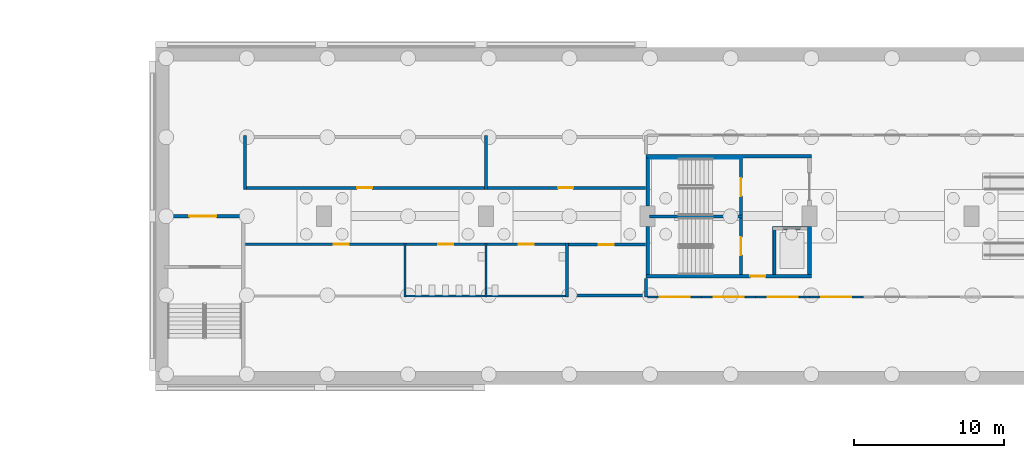
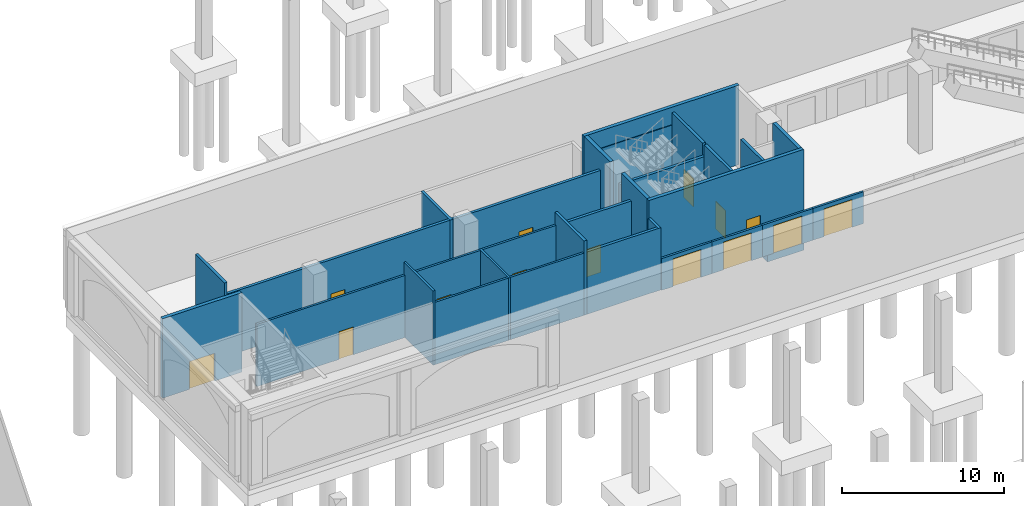
# One storey, part 6 of 39: 31 walls, 14 doors, 14 openings.
"""IFC4 building model written with IfcOpenShell, lengths in metres."""

from ifc_helpers import new_model, si_unit, direction, frame, frame_2d, origin, place, context, subcontext, project, spatial, polyline, rectangle, outline, extrude, material, layer, layer_set, type_object, element, fill, save


model = new_model("IFC4")

# Units and contexts
model_context = context("Model", 3, precision=1e-05, world=origin(), true_north=direction((0.0, 1.0)))
body_context = subcontext(model_context, "Body", "Model", "MODEL_VIEW")
ifc_project = project(units=[si_unit("LENGTHUNIT", "METRE"), si_unit("AREAUNIT", "SQUARE_METRE"), si_unit("VOLUMEUNIT", "CUBIC_METRE"), si_unit("PLANEANGLEUNIT", "RADIAN"), si_unit("MASSUNIT", "GRAM", prefix="KILO")], contexts=[model_context])

# Site, building, storey
site_placement = place(None, origin())
site = spatial("IfcSite", under=ifc_project, at=site_placement, CompositionType="ELEMENT")
building_placement = place(site_placement, origin())
building = spatial("IfcBuilding", under=site, at=building_placement, Name="Magnolia Steps Interchange", CompositionType="ELEMENT")
storey_placement = place(building_placement, frame((0.0, 0.0, -11.39990234375)))
storey = spatial("IfcBuildingStorey", under=building, at=storey_placement, Name="B2", CompositionType="ELEMENT", Elevation=-11.39990234375)

# Wall, opening, door
ifc_material_1 = material(Name="Concrete C35", Category="concrete")
ifc_layer_1 = layer(ifc_material_1, 0.199951171875)
ifc_layer_set_1 = layer_set([ifc_layer_1], Name="Core enclosure wall 200")
wall_type_1 = type_object("IfcWallType", Name="Core enclosure wall 200", PredefinedType="SOLIDWALL", material=ifc_layer_set_1)
wall_1_placement = place(storey_placement, frame((59.425048828125, 60.125, 0.0), z_axis=(0.0, 0.0, 1.0), x_axis=(0.0, 1.0, 0.0)))
wall_1 = element("IfcWall", 1, at=wall_1_placement, inside=storey, type_object=wall_type_1, Name="B2 PC1 enclosure wall", PredefinedType="SOLIDWALL", context=body_context, shape_type="SweptSolid", body=[
    extrude(rectangle(XDim=3.75, YDim=0.199951171875, at=frame_2d((1.875, 0.0))), origin(), (0.0, 0.0, 1.0), 5.599853515625),
])
opening_1_placement = place(wall_1_placement, frame((1.27490234375, 0.0, 0.0)))
opening_1 = element("IfcOpeningElement", 2, at=opening_1_placement, cuts=wall_1, Name="Opening D-PC1-B2-1", PredefinedType="OPENING", context=body_context, shape_type="SweptSolid", body=[
    extrude(rectangle(XDim=1.199951171875, YDim=2.10009765625, at=frame_2d((0.60009765625, 1.050048828125))), frame((0.0, 0.10986328125, 0.0), z_axis=(0.0, -1.0, 0.0), x_axis=(1.0, 0.0, 0.0)), (0.0, 0.0, 1.0), 0.219970703125),
])
ifc_material_2 = material(Name="Painted steel", Category="steel")
door_type_1 = type_object("IfcDoorType", Name="Stair fire door 1200x2100", OperationType="NOTDEFINED", PredefinedType="DOOR", material=ifc_material_2)
door_1_placement = place(opening_1_placement, frame((1.199951171875, 0.0, 0.0), z_axis=(0.0, 0.0, 1.0), x_axis=(-1.0, 0.0, 0.0)))
door_1 = element("IfcDoor", 3, at=door_1_placement, inside=storey, type_object=door_type_1, Name="Stair door ST9 B2", OperationType="SINGLE_SWING_RIGHT", OverallHeight=2.10009765625, OverallWidth=1.199951171875, PredefinedType="DOOR", context=body_context, shape_type="SweptSolid", body=[
    extrude(rectangle(XDim=1.199951171875, YDim=2.10009765625, at=frame_2d((0.60009765625, 1.050048828125))), frame((0.0, 0.02490234375, 0.0), z_axis=(0.0, -1.0, 0.0), x_axis=(1.0, 0.0, 0.0)), (0.0, 0.0, 1.0), 0.050048828125),
])
fill(opening_1, door_1)

# Wall
wall_2_placement = place(storey_placement, frame((59.52490234375, 63.97509765625, 0.0), z_axis=(0.0, 0.0, 1.0), x_axis=(-1.0, 0.0, 0.0)))
element("IfcWall", 4, at=wall_2_placement, inside=storey, type_object=wall_type_1, Name="B2 PC1 enclosure wall", PredefinedType="SOLIDWALL", context=body_context, shape_type="SweptSolid", body=[
    extrude(rectangle(XDim=6.199951171875, YDim=0.199951171875, at=frame_2d((3.10009765625, 0.0))), origin(), (0.0, 0.0, 1.0), 4.699951171875),
])

# Wall, opening, door
wall_3_placement = place(storey_placement, frame((59.425048828125, 64.074951171875, 0.0), z_axis=(0.0, 0.0, 1.0), x_axis=(0.0, 1.0, 0.0)))
wall_3 = element("IfcWall", 5, at=wall_3_placement, inside=storey, type_object=wall_type_1, Name="B2 PC1 enclosure wall", PredefinedType="SOLIDWALL", context=body_context, shape_type="SweptSolid", body=[
    extrude(rectangle(XDim=3.800048828125, YDim=0.199951171875, at=frame_2d((1.89990234375, 0.0))), origin(), (0.0, 0.0, 1.0), 5.599853515625),
])
opening_2_placement = place(wall_3_placement, frame((1.27490234375, 0.0, 0.0)))
opening_2 = element("IfcOpeningElement", 6, at=opening_2_placement, cuts=wall_3, Name="Opening D-PC1-B2-2", PredefinedType="OPENING", context=body_context, shape_type="SweptSolid", body=[
    extrude(rectangle(XDim=1.199951171875, YDim=2.10009765625, at=frame_2d((0.60009765625, 1.050048828125))), frame((0.0, 0.10986328125, 0.0), z_axis=(0.0, -1.0, 0.0), x_axis=(1.0, 0.0, 0.0)), (0.0, 0.0, 1.0), 0.219970703125),
])
door_2_placement = place(opening_2_placement, frame((1.199951171875, 0.0, 0.0), z_axis=(0.0, 0.0, 1.0), x_axis=(-1.0, 0.0, 0.0)))
door_2 = element("IfcDoor", 7, at=door_2_placement, inside=storey, type_object=door_type_1, Name="Stair door ST10 B2", OperationType="SINGLE_SWING_RIGHT", OverallHeight=2.10009765625, OverallWidth=1.199951171875, PredefinedType="DOOR", context=body_context, shape_type="SweptSolid", body=[
    extrude(rectangle(XDim=1.199951171875, YDim=2.10009765625, at=frame_2d((0.60009765625, 1.050048828125))), frame((0.0, 0.02490234375, 0.0), z_axis=(0.0, -1.0, 0.0), x_axis=(1.0, 0.0, 0.0)), (0.0, 0.0, 1.0), 0.050048828125),
])
fill(opening_2, door_2)

# Walls
wall_4_placement = place(storey_placement, frame((61.675048828125, 60.125, 0.0), z_axis=(0.0, 0.0, 1.0), x_axis=(0.0, 1.0, 0.0)))
element("IfcWall", 8, at=wall_4_placement, inside=storey, type_object=wall_type_1, Name="B2 PC1 enclosure wall", PredefinedType="SOLIDWALL", context=body_context, shape_type="SweptSolid", body=[
    extrude(rectangle(XDim=3.14990234375, YDim=0.199951171875, at=frame_2d((1.574951171875, 0.0))), origin(), (0.0, 0.0, 1.0), 5.599853515625),
])
wall_5_placement = place(storey_placement, frame((59.52490234375, 67.85009765625, 0.0), z_axis=(0.0, 0.0, 1.0), x_axis=(-1.0, 0.0, 0.0)))
element("IfcWall", 9, at=wall_5_placement, inside=storey, type_object=wall_type_1, Name="B2 PC1 enclosure wall", PredefinedType="SOLIDWALL", context=body_context, shape_type="SweptSolid", body=[
    extrude(rectangle(XDim=6.199951171875, YDim=0.050048828125, at=frame_2d((3.10009765625, 0.0))), origin(), (0.0, 0.0, 1.0), 4.699951171875),
])

# Wall, opening, door
ifc_material_3 = material(Name="Concrete C40", Category="concrete")
ifc_layer_2 = layer(ifc_material_3, 0.25)
ifc_layer_set_2 = layer_set([ifc_layer_2], Name="Core wall 250")
wall_type_2 = type_object("IfcWallType", Name="Core wall 250", PredefinedType="SOLIDWALL", material=ifc_layer_set_2)
wall_6_placement = place(storey_placement, frame((53.074951171875, 60.0, 0.0), z_axis=(0.0, 0.0, 1.0), x_axis=(1.0, 0.0, 0.0)))
wall_6 = element("IfcWall", 10, at=wall_6_placement, inside=storey, type_object=wall_type_2, Name="Core wall PC1", PredefinedType="SOLIDWALL", context=body_context, shape_type="SweptSolid", body=[
    extrude(rectangle(XDim=11.050048828125, YDim=0.25, at=frame_2d((5.52490234375, 0.0))), origin(), (0.0, 0.0, 1.0), 6.0),
])
opening_3_placement = place(wall_6_placement, frame((6.97509765625, 0.0, 0.0)))
opening_3 = element("IfcOpeningElement", 11, at=opening_3_placement, cuts=wall_6, Name="Opening D-PC1-B2-4", PredefinedType="OPENING", context=body_context, shape_type="SweptSolid", body=[
    extrude(rectangle(XDim=1.0, YDim=2.10009765625, at=frame_2d((0.5, 1.050048828125))), frame((0.0, 0.135009765625, 0.0), z_axis=(0.0, -1.0, 0.0), x_axis=(1.0, 0.0, 0.0)), (0.0, 0.0, 1.0), 0.27001953125),
])
ifc_material_4 = material(Name="Timber and glass", Category="wood")
door_type_2 = type_object("IfcDoorType", Name="Core entrance door 1000x2100", OperationType="NOTDEFINED", PredefinedType="DOOR", material=ifc_material_4)
door_3_placement = place(opening_3_placement, frame((1.0, 0.0, 0.0), z_axis=(0.0, 0.0, 1.0), x_axis=(-1.0, 0.0, 0.0)))
door_3 = element("IfcDoor", 12, at=door_3_placement, inside=storey, type_object=door_type_2, Name="Core entrance door PC1 B2", OperationType="SINGLE_SWING_LEFT", OverallHeight=2.10009765625, OverallWidth=1.0, PredefinedType="DOOR", context=body_context, shape_type="SweptSolid", body=[
    extrude(rectangle(XDim=1.0, YDim=2.10009765625, at=frame_2d((0.5, 1.050048828125))), frame((0.0, 0.02490234375, 0.0), z_axis=(0.0, -1.0, 0.0), x_axis=(1.0, 0.0, 0.0)), (0.0, 0.0, 1.0), 0.050048828125),
])
fill(opening_3, door_3)

# Walls
wall_7_placement = place(storey_placement, frame((64.0, 60.125, 0.0), z_axis=(0.0, 0.0, 1.0), x_axis=(0.0, 1.0, 0.0)))
element("IfcWall", 13, at=wall_7_placement, inside=storey, type_object=wall_type_2, Name="Core wall PC1", PredefinedType="SOLIDWALL", context=body_context, shape_type="SweptSolid", body=[
    extrude(rectangle(XDim=3.175048828125, YDim=0.25, at=frame_2d((1.58740234375, 0.0))), origin(), (0.0, 0.0, 1.0), 6.0),
])
wall_8_placement = place(storey_placement, frame((64.125, 68.0, 0.0), z_axis=(0.0, 0.0, 1.0), x_axis=(-1.0, 0.0, 0.0)))
element("IfcWall", 14, at=wall_8_placement, inside=storey, type_object=wall_type_2, Name="Core wall PC1", PredefinedType="SOLIDWALL", context=body_context, shape_type="SweptSolid", body=[
    extrude(rectangle(XDim=11.050048828125, YDim=0.25, at=frame_2d((5.52490234375, 0.0))), origin(), (0.0, 0.0, 1.0), 6.0),
])
for number, where, z_axis, x_axis, name in (
    (15, (53.199951171875, 67.875, 0.0), (0.0, 0.0, 1.0), (0.0, -1.0, 0.0), "Core wall PC1"),
    (16, (53.199951171875, 63.300048828125, 0.0), (0.0, 0.0, 1.0), (0.0, -1.0, 0.0), "Core wall PC1"),
):
    element("IfcWall", number, at=place(storey_placement, frame(where, z_axis=z_axis, x_axis=x_axis)), inside=storey, type_object=wall_type_2, Name=name, PredefinedType="SOLIDWALL", context=body_context, shape_type="SweptSolid", body=[
        extrude(rectangle(XDim=3.175048828125, YDim=0.25, at=frame_2d((1.58740234375, 0.0))), origin(), (0.0, 0.0, 1.0), 6.0),
    ])

# Wall, opening, door
wall_9_placement = place(storey_placement, frame((26.324951171875, 64.0, 0.0), z_axis=(0.0, 0.0, 1.0), x_axis=(-1.0, 0.0, 0.0)))
wall_9 = element("IfcWall", 17, at=wall_9_placement, inside=storey, type_object=wall_type_2, Name="Core wall BE-W", PredefinedType="SOLIDWALL", context=body_context, shape_type="SweptSolid", body=[
    extrude(rectangle(XDim=5.64990234375, YDim=0.25, at=frame_2d((2.824951171875, 0.0))), origin(), (0.0, 0.0, 1.0), 6.0),
])
opening_4_placement = place(wall_9_placement, frame((1.925048828125, 0.0, 0.0)))
opening_4 = element("IfcOpeningElement", 18, at=opening_4_placement, cuts=wall_9, Name="Opening D-BE-W-B2-2", PredefinedType="OPENING", context=body_context, shape_type="SweptSolid", body=[
    extrude(rectangle(XDim=1.800048828125, YDim=2.10009765625, at=frame_2d((0.89990234375, 1.050048828125))), frame((0.0, 0.135009765625, 0.0), z_axis=(0.0, -1.0, 0.0), x_axis=(1.0, 0.0, 0.0)), (0.0, 0.0, 1.0), 0.27001953125),
])
ifc_material_5 = material(Name="Timber and glass", Category="wood")
door_type_3 = type_object("IfcDoorType", Name="Core entrance door pair 1800x2100", OperationType="DOUBLE_DOOR_DOUBLE_SWING", PredefinedType="DOOR", material=ifc_material_5)
door_4_placement = place(opening_4_placement, frame((1.800048828125, 0.0, 0.0), z_axis=(0.0, 0.0, 1.0), x_axis=(-1.0, 0.0, 0.0)))
door_4 = element("IfcDoor", 19, at=door_4_placement, inside=storey, type_object=door_type_3, Name="Core entrance door BE-W B2", OperationType="DOUBLE_DOOR_DOUBLE_SWING", OverallHeight=2.10009765625, OverallWidth=1.800048828125, PredefinedType="DOOR", context=body_context, shape_type="SweptSolid", body=[
    extrude(rectangle(XDim=1.800048828125, YDim=2.10009765625, at=frame_2d((0.89990234375, 1.050048828125))), frame((0.0, 0.02490234375, 0.0), z_axis=(0.0, -1.0, 0.0), x_axis=(1.0, 0.0, 0.0)), (0.0, 0.0, 1.0), 0.050048828125),
])
fill(opening_4, door_4)

ifc_material_6 = material(Name="Fair-faced blockwork", Category="masonry")
ifc_layer_3 = layer(ifc_material_6, 0.199951171875)
ifc_layer_set_3 = layer_set([ifc_layer_3], Name="Fire partition wall 200")
wall_type_3 = type_object("IfcWallType", Name="Fire partition wall 200", PredefinedType="PARTITIONING", material=ifc_layer_set_3)
wall_10_placement = place(storey_placement, frame((47.800048828125, 62.10009765625, 0.0), z_axis=(0.0, 0.0, 1.0), x_axis=(1.0, 0.0, 0.0)))
wall_10 = element("IfcWall", 20, at=wall_10_placement, inside=storey, type_object=wall_type_3, Name="B2 partition 4", PredefinedType="PARTITIONING", context=body_context, shape_type="SweptSolid", body=[
    extrude(rectangle(XDim=5.244873046875, YDim=0.199951171875, at=frame_2d((2.62255859375, 0.0))), origin(), (0.0, 0.0, 1.0), 4.699951171875),
])
opening_5_placement = place(wall_10_placement, frame((2.12255859375, 0.0, 0.0)))
opening_5 = element("IfcOpeningElement", 21, at=opening_5_placement, cuts=wall_10, Name="Opening D-B2-4", PredefinedType="OPENING", context=body_context, shape_type="SweptSolid", body=[
    extrude(rectangle(XDim=1.0, YDim=2.10009765625, at=frame_2d((0.5, 1.050048828125))), frame((0.0, 0.10986328125, 0.0), z_axis=(0.0, -1.0, 0.0), x_axis=(1.0, 0.0, 0.0)), (0.0, 0.0, 1.0), 0.219970703125),
])
ifc_material_7 = material(Name="Painted steel", Category="steel")
door_type_4 = type_object("IfcDoorType", Name="Plant room door 1000x2100", OperationType="NOTDEFINED", PredefinedType="DOOR", material=ifc_material_7)
door_5_placement = place(opening_5_placement, frame((1.0, 0.0, 0.0), z_axis=(0.0, 0.0, 1.0), x_axis=(-1.0, 0.0, 0.0)))
door_5 = element("IfcDoor", 22, at=door_5_placement, inside=storey, type_object=door_type_4, Name="Platform Cleaners' Store door", OperationType="SINGLE_SWING_RIGHT", OverallHeight=2.10009765625, OverallWidth=1.0, PredefinedType="DOOR", context=body_context, shape_type="SweptSolid", body=[
    extrude(rectangle(XDim=1.0, YDim=2.10009765625, at=frame_2d((0.5, 1.050048828125))), frame((0.0, 0.02490234375, 0.0), z_axis=(0.0, -1.0, 0.0), x_axis=(1.0, 0.0, 0.0)), (0.0, 0.0, 1.0), 0.050048828125),
])
fill(opening_5, door_5)

wall_11_placement = place(storey_placement, frame((26.199951171875, 65.89990234375, 0.0), z_axis=(0.0, 0.0, 1.0), x_axis=(1.0, 0.0, 0.0)))
wall_11 = element("IfcWall", 23, at=wall_11_placement, inside=storey, type_object=wall_type_3, Name="B2 partition 5", PredefinedType="PARTITIONING", context=body_context, shape_type="SweptSolid", body=[
    extrude(rectangle(XDim=16.199951171875, YDim=0.199951171875, at=frame_2d((8.10009765625, 0.0))), origin(), (0.0, 0.0, 1.0), 4.699951171875),
])
opening_6_placement = place(wall_11_placement, frame((7.60009765625, 0.0, 0.0)))
opening_6 = element("IfcOpeningElement", 24, at=opening_6_placement, cuts=wall_11, Name="Opening D-B2-5", PredefinedType="OPENING", context=body_context, shape_type="SweptSolid", body=[
    extrude(rectangle(XDim=1.0, YDim=2.10009765625, at=frame_2d((0.5, 1.050048828125))), frame((0.0, 0.10986328125, 0.0), z_axis=(0.0, -1.0, 0.0), x_axis=(1.0, 0.0, 0.0)), (0.0, 0.0, 1.0), 0.219970703125),
])
door_6_placement = place(opening_6_placement, origin())
door_6 = element("IfcDoor", 25, at=door_6_placement, inside=storey, type_object=door_type_4, Name="Signalling Equipment Room door", OperationType="SINGLE_SWING_LEFT", OverallHeight=2.10009765625, OverallWidth=1.0, PredefinedType="DOOR", context=body_context, shape_type="SweptSolid", body=[
    extrude(rectangle(XDim=1.0, YDim=2.10009765625, at=frame_2d((0.5, 1.050048828125))), frame((0.0, 0.02490234375, 0.0), z_axis=(0.0, -1.0, 0.0), x_axis=(1.0, 0.0, 0.0)), (0.0, 0.0, 1.0), 0.050048828125),
])
fill(opening_6, door_6)

wall_12_placement = place(storey_placement, frame((42.39990234375, 65.89990234375, 0.0), z_axis=(0.0, 0.0, 1.0), x_axis=(1.0, 0.0, 0.0)))
wall_12 = element("IfcWall", 26, at=wall_12_placement, inside=storey, type_object=wall_type_3, Name="B2 partition 6", PredefinedType="PARTITIONING", context=body_context, shape_type="SweptSolid", body=[
    extrude(rectangle(XDim=10.64501953125, YDim=0.199951171875, at=frame_2d((5.322509765625, 0.0))), origin(), (0.0, 0.0, 1.0), 4.699951171875),
])
opening_7_placement = place(wall_12_placement, frame((4.822509765625, 0.0, 0.0)))
opening_7 = element("IfcOpeningElement", 27, at=opening_7_placement, cuts=wall_12, Name="Opening D-B2-6", PredefinedType="OPENING", context=body_context, shape_type="SweptSolid", body=[
    extrude(rectangle(XDim=1.0, YDim=2.10009765625, at=frame_2d((0.5, 1.050048828125))), frame((0.0, 0.10986328125, 0.0), z_axis=(0.0, -1.0, 0.0), x_axis=(1.0, 0.0, 0.0)), (0.0, 0.0, 1.0), 0.219970703125),
])
door_7_placement = place(opening_7_placement, origin())
door_7 = element("IfcDoor", 28, at=door_7_placement, inside=storey, type_object=door_type_4, Name="Traction Power Room door", OperationType="SINGLE_SWING_LEFT", OverallHeight=2.10009765625, OverallWidth=1.0, PredefinedType="DOOR", context=body_context, shape_type="SweptSolid", body=[
    extrude(rectangle(XDim=1.0, YDim=2.10009765625, at=frame_2d((0.5, 1.050048828125))), frame((0.0, 0.02490234375, 0.0), z_axis=(0.0, -1.0, 0.0), x_axis=(1.0, 0.0, 0.0)), (0.0, 0.0, 1.0), 0.050048828125),
])
fill(opening_7, door_7)

# Walls
wall_13_placement = place(storey_placement, frame((47.800048828125, 58.60009765625, 0.0), z_axis=(0.0, 0.0, 1.0), x_axis=(0.0, 1.0, 0.0)))
element("IfcWall", 29, at=wall_13_placement, inside=storey, type_object=wall_type_3, Name="B2 partition 11", PredefinedType="PARTITIONING", context=body_context, shape_type="SweptSolid", body=[
    extrude(rectangle(XDim=3.599853515625, YDim=0.199951171875, at=frame_2d((1.7998046875, 0.0))), origin(), (0.0, 0.0, 1.0), 5.599853515625),
])
wall_14_placement = place(storey_placement, frame((53.10009765625, 58.60009765625, 0.0), z_axis=(0.0, 0.0, 1.0), x_axis=(0.0, 1.0, 0.0)))
element("IfcWall", 30, at=wall_14_placement, inside=storey, type_object=wall_type_3, Name="B2 partition 13", PredefinedType="PARTITIONING", context=body_context, shape_type="SweptSolid", body=[
    extrude(rectangle(XDim=1.244873046875, YDim=0.199951171875, at=frame_2d((0.62255859375, 0.0))), origin(), (0.0, 0.0, 1.0), 4.699951171875),
])
wall_15_placement = place(storey_placement, frame((47.800048828125, 58.699951171875, 0.0), z_axis=(0.0, 0.0, 1.0), x_axis=(1.0, 0.0, 0.0)))
element("IfcWall", 31, at=wall_15_placement, inside=storey, type_object=wall_type_3, Name="B2 partition 14", PredefinedType="PARTITIONING", context=body_context, shape_type="SweptSolid", body=[
    extrude(rectangle(XDim=5.39990234375, YDim=0.199951171875, at=frame_2d((2.699951171875, 0.0))), origin(), (0.0, 0.0, 1.0), 4.699951171875),
])
wall_16_placement = place(storey_placement, frame((42.39990234375, 65.800048828125, 0.0), z_axis=(0.0, 0.0, 1.0), x_axis=(0.0, 1.0, 0.0)))
element("IfcWall", 32, at=wall_16_placement, inside=storey, type_object=wall_type_3, Name="B2 partition 15", PredefinedType="PARTITIONING", context=body_context, shape_type="SweptSolid", body=[
    extrude(rectangle(XDim=3.599853515625, YDim=0.199951171875, at=frame_2d((1.7998046875, 0.0))), origin(), (0.0, 0.0, 1.0), 4.699951171875),
])
wall_17_placement = place(storey_placement, frame((26.300048828125, 65.800048828125, 0.0), z_axis=(0.0, 0.0, 1.0), x_axis=(0.0, 1.0, 0.0)))
element("IfcWall", 33, at=wall_17_placement, inside=storey, type_object=wall_type_3, Name="B2 partition 16", PredefinedType="PARTITIONING", context=body_context, shape_type="SweptSolid", body=[
    extrude(rectangle(XDim=3.599853515625, YDim=0.199951171875, at=frame_2d((1.7998046875, 0.0))), origin(), (0.0, 0.0, 1.0), 5.599853515625),
])
ifc_material_8 = material(Name="Concrete C40", Category="concrete")
ifc_layer_4 = layer(ifc_material_8, 0.25)
ifc_layer_set_4 = layer_set([ifc_layer_4], Name="Lift pit wall 250")
wall_type_4 = type_object("IfcWallType", Name="Lift pit wall 250", PredefinedType="SOLIDWALL", material=ifc_layer_set_4)
wall_18_placement = place(storey_placement, frame((0.0, 0.0, -1.60009765625)))
element("IfcWall", 34, at=wall_18_placement, inside=storey, type_object=wall_type_4, Name="Lift pit wall PC1", PredefinedType="SOLIDWALL", context=body_context, shape_type="SweptSolid", body=[
    extrude(outline(polyline([(64.125, 59.875), (64.125, 63.324951171875), (61.52490234375, 63.324951171875), (61.52490234375, 59.875), (64.125, 59.875)]), holes=[polyline([(63.875, 63.074951171875), (61.77490234375, 63.074951171875), (61.77490234375, 60.125), (63.875, 60.125), (63.875, 63.074951171875)])]), origin(), (0.0, 0.0, 1.0), 1.60009765625),
])

# Wall, opening, door
ifc_material_9 = material(Name="Fair-faced blockwork", Category="masonry")
ifc_layer_5 = layer(ifc_material_9, 0.14990234375)
ifc_layer_set_5 = layer_set([ifc_layer_5], Name="Partition wall 150")
wall_type_5 = type_object("IfcWallType", Name="Partition wall 150", PredefinedType="PARTITIONING", material=ifc_layer_set_5)
wall_19_placement = place(storey_placement, frame((26.35498046875, 62.125, 0.0), z_axis=(0.0, 0.0, 1.0), x_axis=(1.0, 0.0, 0.0)))
wall_19 = element("IfcWall", 35, at=wall_19_placement, inside=storey, type_object=wall_type_5, Name="B2 partition 1", PredefinedType="PARTITIONING", context=body_context, shape_type="SweptSolid", body=[
    extrude(rectangle(XDim=10.64501953125, YDim=0.14990234375, at=frame_2d((5.322509765625, 0.0))), origin(), (0.0, 0.0, 1.0), 4.699951171875),
])
opening_8_placement = place(wall_19_placement, frame((5.87255859375, 0.0, 0.0)))
opening_8 = element("IfcOpeningElement", 36, at=opening_8_placement, cuts=wall_19, Name="Opening D-B2-1", PredefinedType="OPENING", context=body_context, shape_type="SweptSolid", body=[
    extrude(rectangle(XDim=1.0, YDim=2.10009765625, at=frame_2d((0.5, 1.050048828125))), frame((0.0, 0.0849609375, 0.0), z_axis=(0.0, -1.0, 0.0), x_axis=(1.0, 0.0, 0.0)), (0.0, 0.0, 1.0), 0.169921875),
])
ifc_material_10 = material(Name="Timber", Category="wood")
door_type_5 = type_object("IfcDoorType", Name="Room door 1000x2100", OperationType="NOTDEFINED", PredefinedType="DOOR", material=ifc_material_10)
door_8_placement = place(opening_8_placement, frame((1.0, 0.0, 0.0), z_axis=(0.0, 0.0, 1.0), x_axis=(-1.0, 0.0, 0.0)))
door_8 = element("IfcDoor", 37, at=door_8_placement, inside=storey, type_object=door_type_5, Name="Platform Staff Room door", OperationType="SINGLE_SWING_LEFT", OverallHeight=2.10009765625, OverallWidth=1.0, PredefinedType="DOOR", context=body_context, shape_type="SweptSolid", body=[
    extrude(rectangle(XDim=1.0, YDim=2.10009765625, at=frame_2d((0.5, 1.050048828125))), frame((0.0, 0.02490234375, 0.0), z_axis=(0.0, -1.0, 0.0), x_axis=(1.0, 0.0, 0.0)), (0.0, 0.0, 1.0), 0.050048828125),
])
fill(opening_8, door_8)

wall_20_placement = place(storey_placement, frame((37.0, 62.125, 0.0), z_axis=(0.0, 0.0, 1.0), x_axis=(1.0, 0.0, 0.0)))
wall_20 = element("IfcWall", 38, at=wall_20_placement, inside=storey, type_object=wall_type_5, Name="B2 partition 2", PredefinedType="PARTITIONING", context=body_context, shape_type="SweptSolid", body=[
    extrude(rectangle(XDim=5.39990234375, YDim=0.14990234375, at=frame_2d((2.699951171875, 0.0))), origin(), (0.0, 0.0, 1.0), 4.699951171875),
])
opening_9_placement = place(wall_20_placement, frame((2.199951171875, 0.0, 0.0)))
opening_9 = element("IfcOpeningElement", 39, at=opening_9_placement, cuts=wall_20, Name="Opening D-B2-2", PredefinedType="OPENING", context=body_context, shape_type="SweptSolid", body=[
    extrude(rectangle(XDim=1.0, YDim=2.10009765625, at=frame_2d((0.5, 1.050048828125))), frame((0.0, 0.0849609375, 0.0), z_axis=(0.0, -1.0, 0.0), x_axis=(1.0, 0.0, 0.0)), (0.0, 0.0, 1.0), 0.169921875),
])
door_9_placement = place(opening_9_placement, frame((1.0, 0.0, 0.0), z_axis=(0.0, 0.0, 1.0), x_axis=(-1.0, 0.0, 0.0)))
door_9 = element("IfcDoor", 40, at=door_9_placement, inside=storey, type_object=door_type_5, Name="Platform Toilet door", OperationType="SINGLE_SWING_LEFT", OverallHeight=2.10009765625, OverallWidth=1.0, PredefinedType="DOOR", context=body_context, shape_type="SweptSolid", body=[
    extrude(rectangle(XDim=1.0, YDim=2.10009765625, at=frame_2d((0.5, 1.050048828125))), frame((0.0, 0.02490234375, 0.0), z_axis=(0.0, -1.0, 0.0), x_axis=(1.0, 0.0, 0.0)), (0.0, 0.0, 1.0), 0.050048828125),
])
fill(opening_9, door_9)

wall_21_placement = place(storey_placement, frame((42.39990234375, 62.125, 0.0), z_axis=(0.0, 0.0, 1.0), x_axis=(1.0, 0.0, 0.0)))
wall_21 = element("IfcWall", 41, at=wall_21_placement, inside=storey, type_object=wall_type_5, Name="B2 partition 3", PredefinedType="PARTITIONING", context=body_context, shape_type="SweptSolid", body=[
    extrude(rectangle(XDim=5.400146484375, YDim=0.14990234375, at=frame_2d((2.7001953125, 0.0))), origin(), (0.0, 0.0, 1.0), 4.699951171875),
])
opening_10_placement = place(wall_21_placement, frame((2.199951171875, 0.0, 0.0)))
opening_10 = element("IfcOpeningElement", 42, at=opening_10_placement, cuts=wall_21, Name="Opening D-B2-3", PredefinedType="OPENING", context=body_context, shape_type="SweptSolid", body=[
    extrude(rectangle(XDim=1.0, YDim=2.10009765625, at=frame_2d((0.5, 1.050048828125))), frame((0.0, 0.0849609375, 0.0), z_axis=(0.0, -1.0, 0.0), x_axis=(1.0, 0.0, 0.0)), (0.0, 0.0, 1.0), 0.169921875),
])
door_10_placement = place(opening_10_placement, frame((1.0, 0.0, 0.0), z_axis=(0.0, 0.0, 1.0), x_axis=(-1.0, 0.0, 0.0)))
door_10 = element("IfcDoor", 43, at=door_10_placement, inside=storey, type_object=door_type_5, Name="Platform Accessible Toilet door", OperationType="SINGLE_SWING_RIGHT", OverallHeight=2.10009765625, OverallWidth=1.0, PredefinedType="DOOR", context=body_context, shape_type="SweptSolid", body=[
    extrude(rectangle(XDim=1.0, YDim=2.10009765625, at=frame_2d((0.5, 1.050048828125))), frame((0.0, 0.02490234375, 0.0), z_axis=(0.0, -1.0, 0.0), x_axis=(1.0, 0.0, 0.0)), (0.0, 0.0, 1.0), 0.050048828125),
])
fill(opening_10, door_10)

# Walls
wall_22_placement = place(storey_placement, frame((37.0, 58.60009765625, 0.0), z_axis=(0.0, 0.0, 1.0), x_axis=(0.0, 1.0, 0.0)))
element("IfcWall", 44, at=wall_22_placement, inside=storey, type_object=wall_type_5, Name="B2 partition 7", PredefinedType="PARTITIONING", context=body_context, shape_type="SweptSolid", body=[
    extrude(rectangle(XDim=3.599853515625, YDim=0.14990234375, at=frame_2d((1.7998046875, 0.0))), origin(), (0.0, 0.0, 1.0), 5.599853515625),
])
wall_23_placement = place(storey_placement, frame((42.39990234375, 58.60009765625, 0.0), z_axis=(0.0, 0.0, 1.0), x_axis=(0.0, 1.0, 0.0)))
element("IfcWall", 45, at=wall_23_placement, inside=storey, type_object=wall_type_5, Name="B2 partition 9", PredefinedType="PARTITIONING", context=body_context, shape_type="SweptSolid", body=[
    extrude(rectangle(XDim=3.599853515625, YDim=0.14990234375, at=frame_2d((1.7998046875, 0.0))), origin(), (0.0, 0.0, 1.0), 4.699951171875),
])
wall_24_placement = place(storey_placement, frame((37.0, 58.675048828125, 0.0), z_axis=(0.0, 0.0, 1.0), x_axis=(1.0, 0.0, 0.0)))
element("IfcWall", 46, at=wall_24_placement, inside=storey, type_object=wall_type_5, Name="B2 partition 10", PredefinedType="PARTITIONING", context=body_context, shape_type="SweptSolid", body=[
    extrude(rectangle(XDim=5.39990234375, YDim=0.14990234375, at=frame_2d((2.699951171875, 0.0))), origin(), (0.0, 0.0, 1.0), 4.699951171875),
])
wall_25_placement = place(storey_placement, frame((42.39990234375, 58.675048828125, 0.0), z_axis=(0.0, 0.0, 1.0), x_axis=(1.0, 0.0, 0.0)))
element("IfcWall", 47, at=wall_25_placement, inside=storey, type_object=wall_type_5, Name="B2 partition 12", PredefinedType="PARTITIONING", context=body_context, shape_type="SweptSolid", body=[
    extrude(rectangle(XDim=5.400146484375, YDim=0.14990234375, at=frame_2d((2.7001953125, 0.0))), origin(), (0.0, 0.0, 1.0), 4.699951171875),
])

# Wall, opening, door
ifc_material_11 = material(Name="Toughened glass", Category="glass")
ifc_layer_6 = layer(ifc_material_11, 0.14990234375)
ifc_layer_set_6 = layer_set([ifc_layer_6], Name="Platform screen panel 150")
wall_type_6 = type_object("IfcWallType", Name="Platform screen panel 150", PredefinedType="PARTITIONING", material=ifc_layer_set_6)
wall_26_placement = place(storey_placement, frame((53.199951171875, 58.60009765625, 0.0), z_axis=(0.0, 0.0, 1.0), x_axis=(1.0, 0.0, 0.0)))
wall_26 = element("IfcWall", 48, at=wall_26_placement, inside=storey, type_object=wall_type_6, Name="Platform screen 1", PredefinedType="PARTITIONING", context=body_context, shape_type="SweptSolid", body=[
    extrude(rectangle(XDim=3.60009765625, YDim=0.14990234375, at=frame_2d((1.800048828125, 0.0))), origin(), (0.0, 0.0, 1.0), 2.39990234375),
])
opening_11_placement = place(wall_26_placement, frame((0.800048828125, 0.0, 0.0)))
opening_11 = element("IfcOpeningElement", 49, at=opening_11_placement, cuts=wall_26, Name="Opening PSD", PredefinedType="OPENING", context=body_context, shape_type="SweptSolid", body=[
    extrude(rectangle(XDim=2.0, YDim=2.10009765625, at=frame_2d((1.0, 1.050048828125))), frame((0.0, 0.0849609375, 0.0), z_axis=(0.0, -1.0, 0.0), x_axis=(1.0, 0.0, 0.0)), (0.0, 0.0, 1.0), 0.169921875),
])
ifc_material_12 = material(Name="Toughened glass", Category="glass")
door_type_6 = type_object("IfcDoorType", Name="Platform screen door 2000x2100", OperationType="DOUBLE_DOOR_SLIDING", PredefinedType="DOOR", material=ifc_material_12)
door_11_placement = place(opening_11_placement, origin())
door_11 = element("IfcDoor", 50, at=door_11_placement, inside=storey, type_object=door_type_6, Name="Platform screen door 1", OperationType="DOUBLE_DOOR_SLIDING", OverallHeight=2.10009765625, OverallWidth=2.0, PredefinedType="DOOR", context=body_context, shape_type="SweptSolid", body=[
    extrude(rectangle(XDim=2.0, YDim=2.10009765625, at=frame_2d((1.0, 1.050048828125))), frame((0.0, 0.02490234375, 0.0), z_axis=(0.0, -1.0, 0.0), x_axis=(1.0, 0.0, 0.0)), (0.0, 0.0, 1.0), 0.050048828125),
])
fill(opening_11, door_11)

wall_27_placement = place(storey_placement, frame((56.800048828125, 58.60009765625, 0.0), z_axis=(0.0, 0.0, 1.0), x_axis=(1.0, 0.0, 0.0)))
wall_27 = element("IfcWall", 51, at=wall_27_placement, inside=storey, type_object=wall_type_6, Name="Platform screen 2", PredefinedType="PARTITIONING", context=body_context, shape_type="SweptSolid", body=[
    extrude(rectangle(XDim=3.599853515625, YDim=0.14990234375, at=frame_2d((1.7998046875, 0.0))), origin(), (0.0, 0.0, 1.0), 2.39990234375),
])
opening_12_placement = place(wall_27_placement, frame((0.800048828125, 0.0, 0.0)))
opening_12 = element("IfcOpeningElement", 52, at=opening_12_placement, cuts=wall_27, Name="Opening PSD", PredefinedType="OPENING", context=body_context, shape_type="SweptSolid", body=[
    extrude(rectangle(XDim=2.0, YDim=2.10009765625, at=frame_2d((1.0, 1.050048828125))), frame((0.0, 0.0849609375, 0.0), z_axis=(0.0, -1.0, 0.0), x_axis=(1.0, 0.0, 0.0)), (0.0, 0.0, 1.0), 0.169921875),
])
door_12_placement = place(opening_12_placement, origin())
door_12 = element("IfcDoor", 53, at=door_12_placement, inside=storey, type_object=door_type_6, Name="Platform screen door 2", OperationType="DOUBLE_DOOR_SLIDING", OverallHeight=2.10009765625, OverallWidth=2.0, PredefinedType="DOOR", context=body_context, shape_type="SweptSolid", body=[
    extrude(rectangle(XDim=2.0, YDim=2.10009765625, at=frame_2d((1.0, 1.050048828125))), frame((0.0, 0.02490234375, 0.0), z_axis=(0.0, -1.0, 0.0), x_axis=(1.0, 0.0, 0.0)), (0.0, 0.0, 1.0), 0.050048828125),
])
fill(opening_12, door_12)

wall_28_placement = place(storey_placement, frame((60.39990234375, 58.60009765625, 0.0), z_axis=(0.0, 0.0, 1.0), x_axis=(1.0, 0.0, 0.0)))
wall_28 = element("IfcWall", 54, at=wall_28_placement, inside=storey, type_object=wall_type_6, Name="Platform screen 3", PredefinedType="PARTITIONING", context=body_context, shape_type="SweptSolid", body=[
    extrude(rectangle(XDim=3.60009765625, YDim=0.14990234375, at=frame_2d((1.800048828125, 0.0))), origin(), (0.0, 0.0, 1.0), 2.39990234375),
])
opening_13_placement = place(wall_28_placement, frame((0.800048828125, 0.0, 0.0)))
opening_13 = element("IfcOpeningElement", 55, at=opening_13_placement, cuts=wall_28, Name="Opening PSD", PredefinedType="OPENING", context=body_context, shape_type="SweptSolid", body=[
    extrude(rectangle(XDim=2.0, YDim=2.10009765625, at=frame_2d((1.0, 1.050048828125))), frame((0.0, 0.0849609375, 0.0), z_axis=(0.0, -1.0, 0.0), x_axis=(1.0, 0.0, 0.0)), (0.0, 0.0, 1.0), 0.169921875),
])
door_13_placement = place(opening_13_placement, origin())
door_13 = element("IfcDoor", 56, at=door_13_placement, inside=storey, type_object=door_type_6, Name="Platform screen door 3", OperationType="DOUBLE_DOOR_SLIDING", OverallHeight=2.10009765625, OverallWidth=2.0, PredefinedType="DOOR", context=body_context, shape_type="SweptSolid", body=[
    extrude(rectangle(XDim=2.0, YDim=2.10009765625, at=frame_2d((1.0, 1.050048828125))), frame((0.0, 0.02490234375, 0.0), z_axis=(0.0, -1.0, 0.0), x_axis=(1.0, 0.0, 0.0)), (0.0, 0.0, 1.0), 0.050048828125),
])
fill(opening_13, door_13)

wall_29_placement = place(storey_placement, frame((64.0, 58.60009765625, 0.0), z_axis=(0.0, 0.0, 1.0), x_axis=(1.0, 0.0, 0.0)))
wall_29 = element("IfcWall", 57, at=wall_29_placement, inside=storey, type_object=wall_type_6, Name="Platform screen 4", PredefinedType="PARTITIONING", context=body_context, shape_type="SweptSolid", body=[
    extrude(rectangle(XDim=3.60009765625, YDim=0.14990234375, at=frame_2d((1.800048828125, 0.0))), origin(), (0.0, 0.0, 1.0), 2.39990234375),
])
opening_14_placement = place(wall_29_placement, frame((0.800048828125, 0.0, 0.0)))
opening_14 = element("IfcOpeningElement", 58, at=opening_14_placement, cuts=wall_29, Name="Opening PSD", PredefinedType="OPENING", context=body_context, shape_type="SweptSolid", body=[
    extrude(rectangle(XDim=2.0, YDim=2.10009765625, at=frame_2d((1.0, 1.050048828125))), frame((0.0, 0.0849609375, 0.0), z_axis=(0.0, -1.0, 0.0), x_axis=(1.0, 0.0, 0.0)), (0.0, 0.0, 1.0), 0.169921875),
])
door_14_placement = place(opening_14_placement, origin())
door_14 = element("IfcDoor", 59, at=door_14_placement, inside=storey, type_object=door_type_6, Name="Platform screen door 4", OperationType="DOUBLE_DOOR_SLIDING", OverallHeight=2.10009765625, OverallWidth=2.0, PredefinedType="DOOR", context=body_context, shape_type="SweptSolid", body=[
    extrude(rectangle(XDim=2.0, YDim=2.10009765625, at=frame_2d((1.0, 1.050048828125))), frame((0.0, 0.02490234375, 0.0), z_axis=(0.0, -1.0, 0.0), x_axis=(1.0, 0.0, 0.0)), (0.0, 0.0, 1.0), 0.050048828125),
])
fill(opening_14, door_14)

save(model, "model.ifc")
